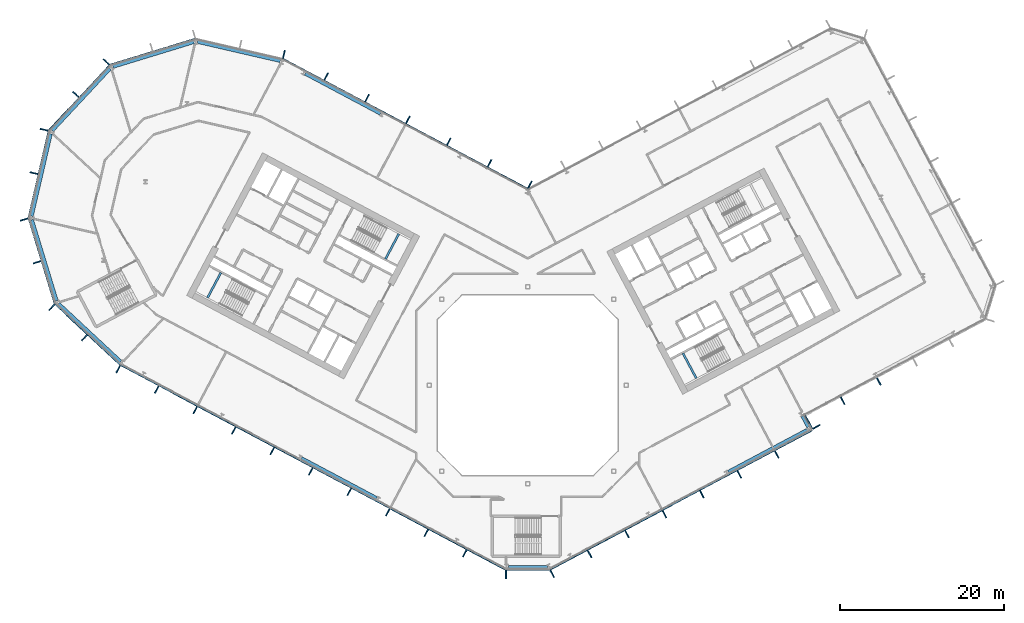
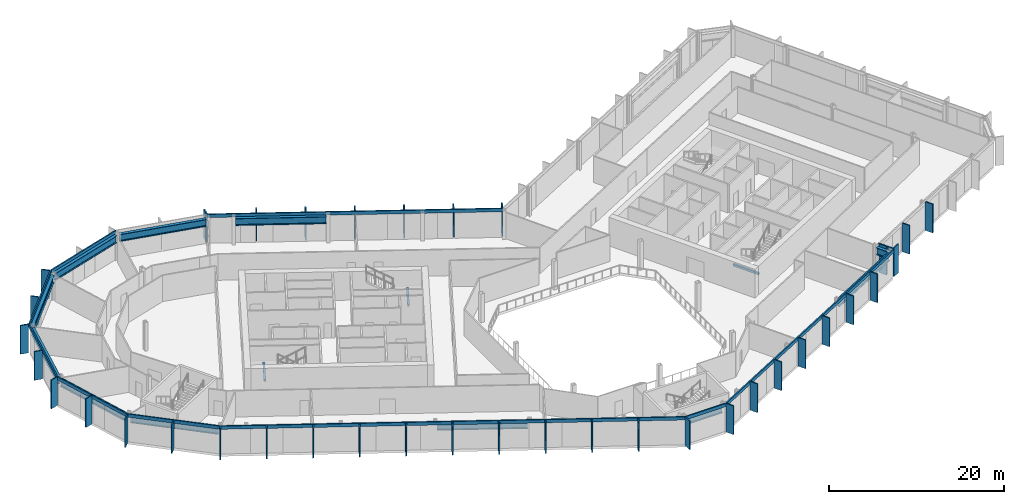
# One storey, part 9 of 28: 47 members, 14 beams, 12 elements without a shape of their own.
"""IFC4 building model written with IfcOpenShell, lengths in metres."""

from ifc_helpers import new_model, si_unit, direction, frame, origin, origin_2d, place, context, subcontext, project, spatial, rectangle, i_section, extrude, material, layer, layer_set, material_profile, profile_set, type_object, element, aggregate, save


model = new_model("IFC4")

# Units and contexts
model_context = context("Model", 3, precision=1e-05, world=origin(), true_north=direction((0.0, 1.0)))
body_context = subcontext(model_context, "Body", "Model", "MODEL_VIEW")
ifc_project = project(units=[si_unit("LENGTHUNIT", "METRE"), si_unit("AREAUNIT", "SQUARE_METRE"), si_unit("VOLUMEUNIT", "CUBIC_METRE"), si_unit("PLANEANGLEUNIT", "RADIAN"), si_unit("MASSUNIT", "GRAM", prefix="KILO")], contexts=[model_context])

# Site, building, storey
site_placement = place(None, origin())
site = spatial("IfcSite", under=ifc_project, at=site_placement, CompositionType="ELEMENT")
building_placement = place(site_placement, origin())
building = spatial("IfcBuilding", under=site, at=building_placement, Name="Cormorant Relay Tower", CompositionType="ELEMENT")
storey_placement = place(building_placement, frame((0.0, 0.0, 146.199951171875)))
storey = spatial("IfcBuildingStorey", under=building, at=storey_placement, Name="L30", CompositionType="ELEMENT", Elevation=146.199951171875)

# Curtain wall, member
ifc_material_1 = material(Name="Aluminium 6063-T6 anodised bronze", Category="aluminium")
ifc_layer = layer(ifc_material_1, 0.199951171875)
ifc_layer_set = layer_set([ifc_layer], Name="CW1 unitised bronze curtain wall with vertical fins")
curtain_wall_type = type_object("IfcCurtainWallType", Name="CW1 unitised bronze curtain wall with vertical fins", PredefinedType="NOTDEFINED", material=ifc_layer_set)
curtain_wall_1_placement = place(storey_placement, origin())
curtain_wall_1 = element("IfcCurtainWall", 1, at=curtain_wall_1_placement, inside=storey, type_object=curtain_wall_type, Name="CW1 curtain wall 1", PredefinedType="NOTDEFINED")
ifc_material_2 = material(Name="Aluminium 6063-T6 anodised bronze", Category="aluminium")
ifc_material_profile_1 = material_profile(ifc_material_2, rectangle(XDim=0.14990234375, YDim=1.0, at=origin_2d()), Name="AL 150x1000")
ifc_profile_set_1 = profile_set([ifc_material_profile_1], Name="Aluminium 6063-T6 anodised bronze")
member_type_1 = type_object("IfcMemberType", Name="CW1 bronze fin mullion 150 x 1000", PredefinedType="MULLION", material=ifc_profile_set_1)
member_1_placement = place(storey_placement, frame((-2.648681640625, -23.07568359375, 0.0), z_axis=(0.0, 0.0, 1.0), x_axis=(1.0, 0.0, 0.0)))
member_1 = element("IfcMember", 2, at=member_1_placement, type_object=member_type_1, Name="CW1 fin 1.1", PredefinedType="MULLION", context=body_context, shape_type="SweptSolid", body=[
    extrude(rectangle(XDim=0.14990234375, YDim=1.0, at=origin_2d()), origin(), (0.0, 0.0, 1.0), 4.0),
])

# Curtain wall, members
curtain_wall_2_placement = place(storey_placement, origin())
curtain_wall_2 = element("IfcCurtainWall", 3, at=curtain_wall_2_placement, inside=storey, type_object=curtain_wall_type, Name="CW1 curtain wall 2", PredefinedType="NOTDEFINED")
member_2_placement = place(storey_placement, frame((2.9775390625, -22.99365234375, 0.0), z_axis=(0.0, 0.0, 1.0), x_axis=(0.882947592859, 0.469471562786, 0.0)))
member_2 = element("IfcMember", 4, at=member_2_placement, type_object=member_type_1, Name="CW1 fin 2.1", PredefinedType="MULLION", context=body_context, shape_type="SweptSolid", body=[
    extrude(rectangle(XDim=0.14990234375, YDim=1.0, at=origin_2d()), origin(), (0.0, 0.0, 1.0), 4.0),
])
member_3_placement = place(storey_placement, frame((7.539306640625, -20.568115234375, 0.0), z_axis=(0.0, 0.0, 1.0), x_axis=(0.882947592859, 0.469471562786, 0.0)))
member_3 = element("IfcMember", 5, at=member_3_placement, type_object=member_type_1, Name="CW1 fin 2.2", PredefinedType="MULLION", context=body_context, shape_type="SweptSolid", body=[
    extrude(rectangle(XDim=0.14990234375, YDim=1.0, at=origin_2d()), origin(), (0.0, 0.0, 1.0), 4.0),
])
member_4_placement = place(storey_placement, frame((12.10107421875, -18.142578125, 0.0), z_axis=(0.0, 0.0, 1.0), x_axis=(0.882947592859, 0.469471562786, 0.0)))
member_4 = element("IfcMember", 6, at=member_4_placement, type_object=member_type_1, Name="CW1 fin 2.3", PredefinedType="MULLION", context=body_context, shape_type="SweptSolid", body=[
    extrude(rectangle(XDim=0.14990234375, YDim=1.0, at=origin_2d()), origin(), (0.0, 0.0, 1.0), 4.0),
])
member_5_placement = place(storey_placement, frame((16.662841796875, -15.717041015625, 0.0), z_axis=(0.0, 0.0, 1.0), x_axis=(0.882947592859, 0.469471562786, 0.0)))
member_5 = element("IfcMember", 7, at=member_5_placement, type_object=member_type_1, Name="CW1 fin 2.4", PredefinedType="MULLION", context=body_context, shape_type="SweptSolid", body=[
    extrude(rectangle(XDim=0.14990234375, YDim=1.0, at=origin_2d()), origin(), (0.0, 0.0, 1.0), 4.0),
])
member_6_placement = place(storey_placement, frame((21.224609375, -13.29150390625, 0.0), z_axis=(0.0, 0.0, 1.0), x_axis=(0.882947592859, 0.469471562786, 0.0)))
member_6 = element("IfcMember", 8, at=member_6_placement, type_object=member_type_1, Name="CW1 fin 2.5", PredefinedType="MULLION", context=body_context, shape_type="SweptSolid", body=[
    extrude(rectangle(XDim=0.14990234375, YDim=1.0, at=origin_2d()), origin(), (0.0, 0.0, 1.0), 4.0),
])
member_7_placement = place(storey_placement, frame((25.78662109375, -10.865966796875, 0.0), z_axis=(0.0, 0.0, 1.0), x_axis=(0.882947592859, 0.469471562786, 0.0)))
member_7 = element("IfcMember", 9, at=member_7_placement, type_object=member_type_1, Name="CW1 fin 2.6", PredefinedType="MULLION", context=body_context, shape_type="SweptSolid", body=[
    extrude(rectangle(XDim=0.14990234375, YDim=1.0, at=origin_2d()), origin(), (0.0, 0.0, 1.0), 4.0),
])
member_8_placement = place(storey_placement, frame((30.348388671875, -8.440185546875, 0.0), z_axis=(0.0, 0.0, 1.0), x_axis=(0.882947592859, 0.469471562786, 0.0)))
member_8 = element("IfcMember", 10, at=member_8_placement, type_object=member_type_1, Name="CW1 fin 2.7", PredefinedType="MULLION", context=body_context, shape_type="SweptSolid", body=[
    extrude(rectangle(XDim=0.14990234375, YDim=1.0, at=origin_2d()), origin(), (0.0, 0.0, 1.0), 4.0),
])

# Curtain wall, member
curtain_wall_3_placement = place(storey_placement, origin())
curtain_wall_3 = element("IfcCurtainWall", 11, at=curtain_wall_3_placement, inside=storey, type_object=curtain_wall_type, Name="CW1 curtain wall 3", PredefinedType="NOTDEFINED")
member_9_placement = place(storey_placement, frame((35.199462890625, -5.068115234375, 0.0), z_axis=(0.0, 0.0, 1.0), x_axis=(-0.469471562786, 0.882947592859, 0.0)))
member_9 = element("IfcMember", 12, at=member_9_placement, type_object=member_type_1, Name="CW1 fin 3.1", PredefinedType="MULLION", context=body_context, shape_type="SweptSolid", body=[
    extrude(rectangle(XDim=0.14990234375, YDim=1.0, at=origin_2d()), origin(), (0.0, 0.0, 1.0), 4.0),
])

# Curtain wall, members
curtain_wall_4_placement = place(storey_placement, origin())
curtain_wall_4 = element("IfcCurtainWall", 13, at=curtain_wall_4_placement, inside=storey, type_object=curtain_wall_type, Name="CW1 curtain wall 4", PredefinedType="NOTDEFINED")
member_10_placement = place(storey_placement, frame((34.037353515625, -4.213623046875, 0.0), z_axis=(0.0, 0.0, 1.0), x_axis=(0.882947592859, 0.469471562786, 0.0)))
member_10 = element("IfcMember", 14, at=member_10_placement, type_object=member_type_1, Name="CW1 fin 4.1", PredefinedType="MULLION", context=body_context, shape_type="SweptSolid", body=[
    extrude(rectangle(XDim=0.14990234375, YDim=1.0, at=origin_2d()), origin(), (0.0, 0.0, 1.0), 4.0),
])
member_11_placement = place(storey_placement, frame((38.385986328125, -1.901611328125, 0.0), z_axis=(0.0, 0.0, 1.0), x_axis=(0.882947592859, 0.469471562786, 0.0)))
member_11 = element("IfcMember", 15, at=member_11_placement, type_object=member_type_1, Name="CW1 fin 4.2", PredefinedType="MULLION", context=body_context, shape_type="SweptSolid", body=[
    extrude(rectangle(XDim=0.14990234375, YDim=1.0, at=origin_2d()), origin(), (0.0, 0.0, 1.0), 4.0),
])
member_12_placement = place(storey_placement, frame((42.800537109375, 0.44580078125, 0.0), z_axis=(0.0, 0.0, 1.0), x_axis=(0.882947592859, 0.469471562786, 0.0)))
member_12 = element("IfcMember", 16, at=member_12_placement, type_object=member_type_1, Name="CW1 fin 4.3", PredefinedType="MULLION", context=body_context, shape_type="SweptSolid", body=[
    extrude(rectangle(XDim=0.14990234375, YDim=1.0, at=origin_2d()), origin(), (0.0, 0.0, 1.0), 4.0),
])
aggregate(curtain_wall_4, [member_10, member_11, member_12])

curtain_wall_5_placement = place(storey_placement, origin())
curtain_wall_5 = element("IfcCurtainWall", 17, at=curtain_wall_5_placement, inside=storey, type_object=curtain_wall_type, Name="CW1 curtain wall 9", PredefinedType="NOTDEFINED")
member_13_placement = place(storey_placement, frame((0.262451171875, 24.437255859375, 0.0), z_axis=(0.0, 0.0, 1.0), x_axis=(-0.882947592859, 0.469471562786, 0.0)))
member_13 = element("IfcMember", 18, at=member_13_placement, type_object=member_type_1, Name="CW1 fin 9.1", PredefinedType="MULLION", context=body_context, shape_type="SweptSolid", body=[
    extrude(rectangle(XDim=0.14990234375, YDim=1.0, at=origin_2d()), origin(), (0.0, 0.0, 1.0), 4.0),
])
member_14_placement = place(storey_placement, frame((-4.650390625, 27.04931640625, 0.0), z_axis=(0.0, 0.0, 1.0), x_axis=(-0.882947592859, 0.469471562786, 0.0)))
member_14 = element("IfcMember", 19, at=member_14_placement, type_object=member_type_1, Name="CW1 fin 9.2", PredefinedType="MULLION", context=body_context, shape_type="SweptSolid", body=[
    extrude(rectangle(XDim=0.14990234375, YDim=1.0, at=origin_2d()), origin(), (0.0, 0.0, 1.0), 4.0),
])
member_15_placement = place(storey_placement, frame((-9.62939453125, 29.69677734375, 0.0), z_axis=(0.0, 0.0, 1.0), x_axis=(-0.882947592859, 0.469471562786, 0.0)))
member_15 = element("IfcMember", 20, at=member_15_placement, type_object=member_type_1, Name="CW1 fin 9.3", PredefinedType="MULLION", context=body_context, shape_type="SweptSolid", body=[
    extrude(rectangle(XDim=0.14990234375, YDim=1.0, at=origin_2d()), origin(), (0.0, 0.0, 1.0), 4.0),
])
member_16_placement = place(storey_placement, frame((-14.608154296875, 32.343994140625, 0.0), z_axis=(0.0, 0.0, 1.0), x_axis=(-0.882947592859, 0.469471562786, 0.0)))
member_16 = element("IfcMember", 21, at=member_16_placement, type_object=member_type_1, Name="CW1 fin 9.4", PredefinedType="MULLION", context=body_context, shape_type="SweptSolid", body=[
    extrude(rectangle(XDim=0.14990234375, YDim=1.0, at=origin_2d()), origin(), (0.0, 0.0, 1.0), 4.0),
])
member_17_placement = place(storey_placement, frame((-19.587158203125, 34.991455078125, 0.0), z_axis=(0.0, 0.0, 1.0), x_axis=(-0.882947592859, 0.469471562786, 0.0)))
member_17 = element("IfcMember", 22, at=member_17_placement, type_object=member_type_1, Name="CW1 fin 9.5", PredefinedType="MULLION", context=body_context, shape_type="SweptSolid", body=[
    extrude(rectangle(XDim=0.14990234375, YDim=1.0, at=origin_2d()), origin(), (0.0, 0.0, 1.0), 4.0),
])
member_18_placement = place(storey_placement, frame((-24.566162109375, 37.638916015625, 0.0), z_axis=(0.0, 0.0, 1.0), x_axis=(-0.882947592859, 0.469471562786, 0.0)))
member_18 = element("IfcMember", 23, at=member_18_placement, type_object=member_type_1, Name="CW1 fin 9.6", PredefinedType="MULLION", context=body_context, shape_type="SweptSolid", body=[
    extrude(rectangle(XDim=0.14990234375, YDim=1.0, at=origin_2d()), origin(), (0.0, 0.0, 1.0), 4.0),
])

# Curtain wall, member
curtain_wall_6_placement = place(storey_placement, origin())
curtain_wall_6 = element("IfcCurtainWall", 24, at=curtain_wall_6_placement, inside=storey, type_object=curtain_wall_type, Name="CW1 curtain wall 10", PredefinedType="NOTDEFINED")
member_19_placement = place(storey_placement, frame((-29.71630859375, 40.35009765625, 0.0), z_axis=(0.0, 0.0, 1.0), x_axis=(-0.974370064785, 0.224951054344, 0.0)))
member_19 = element("IfcMember", 25, at=member_19_placement, type_object=member_type_1, Name="CW1 fin 10.1", PredefinedType="MULLION", context=body_context, shape_type="SweptSolid", body=[
    extrude(rectangle(XDim=0.14990234375, YDim=1.0, at=origin_2d()), origin(), (0.0, 0.0, 1.0), 4.0),
])
aggregate(curtain_wall_6, [member_19])

# Curtain wall, members
curtain_wall_7_placement = place(storey_placement, origin())
curtain_wall_7 = element("IfcCurtainWall", 26, at=curtain_wall_7_placement, inside=storey, type_object=curtain_wall_type, Name="CW1 curtain wall 12", PredefinedType="NOTDEFINED")
member_20_placement = place(storey_placement, frame((-51.372802734375, 39.41259765625, 0.0), z_axis=(0.0, 0.0, 1.0), x_axis=(-0.681998360062, -0.731353701619, 0.0)))
member_20 = element("IfcMember", 27, at=member_20_placement, type_object=member_type_1, Name="CW1 fin 12.1", PredefinedType="MULLION", context=body_context, shape_type="SweptSolid", body=[
    extrude(rectangle(XDim=0.14990234375, YDim=1.0, at=origin_2d()), origin(), (0.0, 0.0, 1.0), 4.0),
])
member_21_placement = place(storey_placement, frame((-55.07958984375, 35.4375, 0.0), z_axis=(0.0, 0.0, 1.0), x_axis=(-0.681998360062, -0.731353701619, 0.0)))
member_21 = element("IfcMember", 28, at=member_21_placement, type_object=member_type_1, Name="CW1 fin 12.2", PredefinedType="MULLION", context=body_context, shape_type="SweptSolid", body=[
    extrude(rectangle(XDim=0.14990234375, YDim=1.0, at=origin_2d()), origin(), (0.0, 0.0, 1.0), 4.0),
])

curtain_wall_8_placement = place(storey_placement, origin())
curtain_wall_8 = element("IfcCurtainWall", 29, at=curtain_wall_8_placement, inside=storey, type_object=curtain_wall_type, Name="CW1 curtain wall 13", PredefinedType="NOTDEFINED")
member_22_placement = place(storey_placement, frame((-58.95654296875, 31.142578125, 0.0), z_axis=(0.0, 0.0, 1.0), x_axis=(-0.224951054344, -0.974370064785, 0.0)))
member_22 = element("IfcMember", 30, at=member_22_placement, type_object=member_type_1, Name="CW1 fin 13.1", PredefinedType="MULLION", context=body_context, shape_type="SweptSolid", body=[
    extrude(rectangle(XDim=0.14990234375, YDim=1.0, at=origin_2d()), origin(), (0.0, 0.0, 1.0), 4.0),
])
member_23_placement = place(storey_placement, frame((-60.17919921875, 25.8466796875, 0.0), z_axis=(0.0, 0.0, 1.0), x_axis=(-0.224951054344, -0.974370064785, 0.0)))
member_23 = element("IfcMember", 31, at=member_23_placement, type_object=member_type_1, Name="CW1 fin 13.2", PredefinedType="MULLION", context=body_context, shape_type="SweptSolid", body=[
    extrude(rectangle(XDim=0.14990234375, YDim=1.0, at=origin_2d()), origin(), (0.0, 0.0, 1.0), 4.0),
])

curtain_wall_9_placement = place(storey_placement, origin())
curtain_wall_9 = element("IfcCurtainWall", 32, at=curtain_wall_9_placement, inside=storey, type_object=curtain_wall_type, Name="CW1 curtain wall 14", PredefinedType="NOTDEFINED")
member_24_placement = place(storey_placement, frame((-61.389404296875, 20.188720703125, 0.0), z_axis=(0.0, 0.0, 1.0), x_axis=(0.292371704723, -0.956304755963, 0.0)))
member_24 = element("IfcMember", 33, at=member_24_placement, type_object=member_type_1, Name="CW1 fin 14.1", PredefinedType="MULLION", context=body_context, shape_type="SweptSolid", body=[
    extrude(rectangle(XDim=0.14990234375, YDim=1.0, at=origin_2d()), origin(), (0.0, 0.0, 1.0), 4.0),
])
member_25_placement = place(storey_placement, frame((-59.80029296875, 14.990966796875, 0.0), z_axis=(0.0, 0.0, 1.0), x_axis=(0.292371704723, -0.956304755963, 0.0)))
member_25 = element("IfcMember", 34, at=member_25_placement, type_object=member_type_1, Name="CW1 fin 14.2", PredefinedType="MULLION", context=body_context, shape_type="SweptSolid", body=[
    extrude(rectangle(XDim=0.14990234375, YDim=1.0, at=origin_2d()), origin(), (0.0, 0.0, 1.0), 4.0),
])

curtain_wall_10_placement = place(storey_placement, origin())
curtain_wall_10 = element("IfcCurtainWall", 35, at=curtain_wall_10_placement, inside=storey, type_object=curtain_wall_type, Name="CW1 curtain wall 15", PredefinedType="NOTDEFINED")
member_26_placement = place(storey_placement, frame((-58.01904296875, 9.486083984375, 0.0), z_axis=(0.0, 0.0, 1.0), x_axis=(0.731353701619, -0.681998360062, 0.0)))
member_26 = element("IfcMember", 36, at=member_26_placement, type_object=member_type_1, Name="CW1 fin 15.1", PredefinedType="MULLION", context=body_context, shape_type="SweptSolid", body=[
    extrude(rectangle(XDim=0.14990234375, YDim=1.0, at=origin_2d()), origin(), (0.0, 0.0, 1.0), 4.0),
])
member_27_placement = place(storey_placement, frame((-54.0439453125, 5.779296875, 0.0), z_axis=(0.0, 0.0, 1.0), x_axis=(0.731353701619, -0.681998360062, 0.0)))
member_27 = element("IfcMember", 37, at=member_27_placement, type_object=member_type_1, Name="CW1 fin 15.2", PredefinedType="MULLION", context=body_context, shape_type="SweptSolid", body=[
    extrude(rectangle(XDim=0.14990234375, YDim=1.0, at=origin_2d()), origin(), (0.0, 0.0, 1.0), 4.0),
])

curtain_wall_11_placement = place(storey_placement, origin())
curtain_wall_11 = element("IfcCurtainWall", 38, at=curtain_wall_11_placement, inside=storey, type_object=curtain_wall_type, Name="CW1 curtain wall 16", PredefinedType="NOTDEFINED")
member_28_placement = place(storey_placement, frame((-49.920166015625, 1.96630859375, 0.0), z_axis=(0.0, 0.0, 1.0), x_axis=(0.882947592859, -0.469471562786, 0.0)))
member_28 = element("IfcMember", 39, at=member_28_placement, type_object=member_type_1, Name="CW1 fin 16.1", PredefinedType="MULLION", context=body_context, shape_type="SweptSolid", body=[
    extrude(rectangle(XDim=0.14990234375, YDim=1.0, at=origin_2d()), origin(), (0.0, 0.0, 1.0), 4.0),
])
member_29_placement = place(storey_placement, frame((-45.225830078125, -0.52978515625, 0.0), z_axis=(0.0, 0.0, 1.0), x_axis=(0.882947592859, -0.469471562786, 0.0)))
member_29 = element("IfcMember", 40, at=member_29_placement, type_object=member_type_1, Name="CW1 fin 16.2", PredefinedType="MULLION", context=body_context, shape_type="SweptSolid", body=[
    extrude(rectangle(XDim=0.14990234375, YDim=1.0, at=origin_2d()), origin(), (0.0, 0.0, 1.0), 4.0),
])
member_30_placement = place(storey_placement, frame((-40.531494140625, -3.025634765625, 0.0), z_axis=(0.0, 0.0, 1.0), x_axis=(0.882947592859, -0.469471562786, 0.0)))
member_30 = element("IfcMember", 41, at=member_30_placement, type_object=member_type_1, Name="CW1 fin 16.3", PredefinedType="MULLION", context=body_context, shape_type="SweptSolid", body=[
    extrude(rectangle(XDim=0.14990234375, YDim=1.0, at=origin_2d()), origin(), (0.0, 0.0, 1.0), 4.0),
])
member_31_placement = place(storey_placement, frame((-35.83740234375, -5.521728515625, 0.0), z_axis=(0.0, 0.0, 1.0), x_axis=(0.882947592859, -0.469471562786, 0.0)))
member_31 = element("IfcMember", 42, at=member_31_placement, type_object=member_type_1, Name="CW1 fin 16.4", PredefinedType="MULLION", context=body_context, shape_type="SweptSolid", body=[
    extrude(rectangle(XDim=0.14990234375, YDim=1.0, at=origin_2d()), origin(), (0.0, 0.0, 1.0), 4.0),
])
member_32_placement = place(storey_placement, frame((-31.14306640625, -8.017578125, 0.0), z_axis=(0.0, 0.0, 1.0), x_axis=(0.882947592859, -0.469471562786, 0.0)))
member_32 = element("IfcMember", 43, at=member_32_placement, type_object=member_type_1, Name="CW1 fin 16.5", PredefinedType="MULLION", context=body_context, shape_type="SweptSolid", body=[
    extrude(rectangle(XDim=0.14990234375, YDim=1.0, at=origin_2d()), origin(), (0.0, 0.0, 1.0), 4.0),
])
member_33_placement = place(storey_placement, frame((-26.44873046875, -10.513671875, 0.0), z_axis=(0.0, 0.0, 1.0), x_axis=(0.882947592859, -0.469471562786, 0.0)))
member_33 = element("IfcMember", 44, at=member_33_placement, type_object=member_type_1, Name="CW1 fin 16.6", PredefinedType="MULLION", context=body_context, shape_type="SweptSolid", body=[
    extrude(rectangle(XDim=0.14990234375, YDim=1.0, at=origin_2d()), origin(), (0.0, 0.0, 1.0), 4.0),
])
member_34_placement = place(storey_placement, frame((-21.754638671875, -13.009765625, 0.0), z_axis=(0.0, 0.0, 1.0), x_axis=(0.882947592859, -0.469471562786, 0.0)))
member_34 = element("IfcMember", 45, at=member_34_placement, type_object=member_type_1, Name="CW1 fin 16.7", PredefinedType="MULLION", context=body_context, shape_type="SweptSolid", body=[
    extrude(rectangle(XDim=0.14990234375, YDim=1.0, at=origin_2d()), origin(), (0.0, 0.0, 1.0), 4.0),
])
member_35_placement = place(storey_placement, frame((-17.060302734375, -15.505615234375, 0.0), z_axis=(0.0, 0.0, 1.0), x_axis=(0.882947592859, -0.469471562786, 0.0)))
member_35 = element("IfcMember", 46, at=member_35_placement, type_object=member_type_1, Name="CW1 fin 16.8", PredefinedType="MULLION", context=body_context, shape_type="SweptSolid", body=[
    extrude(rectangle(XDim=0.14990234375, YDim=1.0, at=origin_2d()), origin(), (0.0, 0.0, 1.0), 4.0),
])
member_36_placement = place(storey_placement, frame((-12.365966796875, -18.001708984375, 0.0), z_axis=(0.0, 0.0, 1.0), x_axis=(0.882947592859, -0.469471562786, 0.0)))
member_36 = element("IfcMember", 47, at=member_36_placement, type_object=member_type_1, Name="CW1 fin 16.9", PredefinedType="MULLION", context=body_context, shape_type="SweptSolid", body=[
    extrude(rectangle(XDim=0.14990234375, YDim=1.0, at=origin_2d()), origin(), (0.0, 0.0, 1.0), 4.0),
])
member_37_placement = place(storey_placement, frame((-7.671630859375, -20.49755859375, 0.0), z_axis=(0.0, 0.0, 1.0), x_axis=(0.882947592859, -0.469471562786, 0.0)))
member_37 = element("IfcMember", 48, at=member_37_placement, type_object=member_type_1, Name="CW1 fin 16.10", PredefinedType="MULLION", context=body_context, shape_type="SweptSolid", body=[
    extrude(rectangle(XDim=0.14990234375, YDim=1.0, at=origin_2d()), origin(), (0.0, 0.0, 1.0), 4.0),
])

# Member
ifc_material_3 = material(Name="Aluminium 6063-T6 anodised bronze", Category="aluminium")
ifc_material_profile_2 = material_profile(ifc_material_3, rectangle(XDim=0.159912109375, YDim=0.449951171875, at=origin_2d()), Name="AL 160x450")
ifc_profile_set_2 = profile_set([ifc_material_profile_2], Name="Aluminium 6063-T6 anodised bronze")
member_type_2 = type_object("IfcMemberType", Name="CW1 bronze transom 160 x 450", PredefinedType="USERDEFINED", material=ifc_profile_set_2)
member_38_placement = place(storey_placement, frame((-2.648681640625, -22.49560546875, 3.775146484375), z_axis=(1.0, 0.0, 0.0), x_axis=(0.0, 1.0, 0.0)))
member_38 = element("IfcMember", 49, at=member_38_placement, type_object=member_type_2, Name="CW1 transom 1", ObjectType="TRANSOM", PredefinedType="USERDEFINED", context=body_context, shape_type="SweptSolid", body=[
    extrude(rectangle(XDim=0.159912109375, YDim=0.449951171875, at=origin_2d()), origin(), (0.0, 0.0, 1.0), 5.29736328125),
])

aggregate(curtain_wall_1, [member_1, member_38])

member_39_placement = place(storey_placement, frame((2.705078125, -22.4814453125, 3.775146484375), z_axis=(0.882948899141, 0.469469106018, 0.0), x_axis=(-0.469469106018, 0.882948899141, 0.0)))
member_39 = element("IfcMember", 50, at=member_39_placement, type_object=member_type_2, Name="CW1 transom 2", ObjectType="TRANSOM", PredefinedType="USERDEFINED", context=body_context, shape_type="SweptSolid", body=[
    extrude(rectangle(XDim=0.159912109375, YDim=0.449951171875, at=origin_2d()), origin(), (0.0, 0.0, 1.0), 36.165771484375),
])

aggregate(curtain_wall_2, [member_2, member_3, member_4, member_5, member_6, member_7, member_8, member_39])

member_40_placement = place(storey_placement, frame((34.6875, -5.34033203125, 3.775146484375), z_axis=(-0.469580583036, 0.88288961713, 0.0), x_axis=(-0.88288961713, -0.469580583036, 0.0)))
member_40 = element("IfcMember", 51, at=member_40_placement, type_object=member_type_2, Name="CW1 transom 3", ObjectType="TRANSOM", PredefinedType="USERDEFINED", context=body_context, shape_type="SweptSolid", body=[
    extrude(rectangle(XDim=0.159912109375, YDim=0.449951171875, at=origin_2d()), origin(), (0.0, 0.0, 1.0), 2.0),
])

aggregate(curtain_wall_3, [member_9, member_40])

member_41_placement = place(storey_placement, frame((0.056396484375, 23.889892578125, 3.775146484375), z_axis=(-0.882946280328, 0.46947403129, 0.0), x_axis=(-0.46947403129, -0.882946280328, 0.0)))
member_41 = element("IfcMember", 52, at=member_41_placement, type_object=member_type_2, Name="CW1 transom 9", ObjectType="TRANSOM", PredefinedType="USERDEFINED", context=body_context, shape_type="SweptSolid", body=[
    extrude(rectangle(XDim=0.159912109375, YDim=0.449951171875, at=origin_2d()), origin(), (0.0, 0.0, 1.0), 33.834228515625),
])

aggregate(curtain_wall_5, [member_13, member_14, member_15, member_16, member_17, member_18, member_41])

# Curtain wall, member
curtain_wall_12_placement = place(storey_placement, origin())
curtain_wall_12 = element("IfcCurtainWall", 53, at=curtain_wall_12_placement, inside=storey, type_object=curtain_wall_type, Name="CW1 curtain wall 11", PredefinedType="NOTDEFINED")
member_42_placement = place(storey_placement, frame((-40.50048828125, 42.228271484375, 3.775146484375), z_axis=(-0.956304833932, -0.292371449698, 0.0), x_axis=(0.292371449698, -0.956304833932, 0.0)))
member_42 = element("IfcMember", 54, at=member_42_placement, type_object=member_type_2, Name="CW1 transom 11", ObjectType="TRANSOM", PredefinedType="USERDEFINED", context=body_context, shape_type="SweptSolid", body=[
    extrude(rectangle(XDim=0.159912109375, YDim=0.449951171875, at=origin_2d()), origin(), (0.0, 0.0, 1.0), 10.87060546875),
])
aggregate(curtain_wall_12, [member_42])

# Member
member_43_placement = place(storey_placement, frame((-50.94873046875, 39.01708984375, 3.775146484375), z_axis=(-0.681993299437, -0.731358420696, 0.0), x_axis=(0.731358420696, -0.681993299437, 0.0)))
member_43 = element("IfcMember", 55, at=member_43_placement, type_object=member_type_2, Name="CW1 transom 12", ObjectType="TRANSOM", PredefinedType="USERDEFINED", context=body_context, shape_type="SweptSolid", body=[
    extrude(rectangle(XDim=0.159912109375, YDim=0.449951171875, at=origin_2d()), origin(), (0.0, 0.0, 1.0), 10.870361328125),
])

aggregate(curtain_wall_7, [member_20, member_21, member_43])

member_44_placement = place(storey_placement, frame((-58.3916015625, 31.01220703125, 3.775146484375), z_axis=(-0.22495136131, -0.974369993916, 0.0), x_axis=(0.974369993916, -0.22495136131, 0.0)))
member_44 = element("IfcMember", 56, at=member_44_placement, type_object=member_type_2, Name="CW1 transom 13", ObjectType="TRANSOM", PredefinedType="USERDEFINED", context=body_context, shape_type="SweptSolid", body=[
    extrude(rectangle(XDim=0.159912109375, YDim=0.449951171875, at=origin_2d()), origin(), (0.0, 0.0, 1.0), 10.870361328125),
])

aggregate(curtain_wall_8, [member_22, member_23, member_44])

member_45_placement = place(storey_placement, frame((-60.834716796875, 20.358154296875, 3.775146484375), z_axis=(0.292377729282, -0.95630291405, 0.0), x_axis=(0.95630291405, 0.292377729282, 0.0)))
member_45 = element("IfcMember", 57, at=member_45_placement, type_object=member_type_2, Name="CW1 transom 14", ObjectType="TRANSOM", PredefinedType="USERDEFINED", context=body_context, shape_type="SweptSolid", body=[
    extrude(rectangle(XDim=0.159912109375, YDim=0.449951171875, at=origin_2d()), origin(), (0.0, 0.0, 1.0), 10.870361328125),
])

aggregate(curtain_wall_9, [member_24, member_25, member_45])

member_46_placement = place(storey_placement, frame((-57.62353515625, 9.91015625, 3.775146484375), z_axis=(0.731358420696, -0.681993299437, 0.0), x_axis=(0.681993299437, 0.731358420696, 0.0)))
member_46 = element("IfcMember", 58, at=member_46_placement, type_object=member_type_2, Name="CW1 transom 15", ObjectType="TRANSOM", PredefinedType="USERDEFINED", context=body_context, shape_type="SweptSolid", body=[
    extrude(rectangle(XDim=0.159912109375, YDim=0.449951171875, at=origin_2d()), origin(), (0.0, 0.0, 1.0), 10.870361328125),
])

aggregate(curtain_wall_10, [member_26, member_27, member_46])

member_47_placement = place(storey_placement, frame((-49.64794921875, 2.478515625, 3.775146484375), z_axis=(0.882947642542, -0.469471469346, 0.0), x_axis=(0.469471469346, 0.882947642542, 0.0)))
member_47 = element("IfcMember", 59, at=member_47_placement, type_object=member_type_2, Name="CW1 transom 16", ObjectType="TRANSOM", PredefinedType="USERDEFINED", context=body_context, shape_type="SweptSolid", body=[
    extrude(rectangle(XDim=0.159912109375, YDim=0.449951171875, at=origin_2d()), origin(), (0.0, 0.0, 1.0), 53.166015625),
])

aggregate(curtain_wall_11, [member_28, member_29, member_30, member_31, member_32, member_33, member_34, member_35, member_36, member_37, member_47])

# Beams
ifc_material_4 = material(Name="Steel ASTM A992 (Fy 345 MPa)", Category="steel")
ifc_material_profile_3 = material_profile(ifc_material_4, i_section(OverallWidth=0.4013671875, OverallDepth=1.000732421875, WebThickness=0.01904296875, FlangeThickness=0.0361328125, FilletRadius=0.02978515625, at=origin_2d()), Name="W1000x371")
ifc_profile_set_3 = profile_set([ifc_material_profile_3], Name="Steel ASTM A992 (Fy 345 MPa)")
beam_type_1 = type_object("IfcBeamType", Name="Spandrel W1000x371", PredefinedType="SPANDREL", material=ifc_profile_set_3)
beam_1_placement = place(storey_placement, frame((-2.35888671875, -22.1748046875, 3.1396484375), z_axis=(1.0, 0.0, 0.0), x_axis=(0.0, 1.0, 0.0)))
element("IfcBeam", 60, at=beam_1_placement, inside=storey, type_object=beam_type_1, Name="Spandrel beam L30-001", PredefinedType="SPANDREL", context=body_context, shape_type="SweptSolid", body=[
    extrude(i_section(OverallWidth=0.4013671875, OverallDepth=1.000732421875, WebThickness=0.01904296875, FlangeThickness=0.0361328125, FilletRadius=0.02978515625, at=origin_2d()), origin(), (0.0, 0.0, 1.0), 4.748046875),
])
beam_2_placement = place(storey_placement, frame((24.427001953125, -10.568603515625, 3.1396484375), z_axis=(0.88295524081, 0.469457178799, 0.0), x_axis=(-0.469457178799, 0.88295524081, 0.0)))
element("IfcBeam", 61, at=beam_2_placement, inside=storey, type_object=beam_type_1, Name="Spandrel beam L30-002", PredefinedType="SPANDREL", context=body_context, shape_type="SweptSolid", body=[
    extrude(i_section(OverallWidth=0.4013671875, OverallDepth=1.000732421875, WebThickness=0.01904296875, FlangeThickness=0.0361328125, FilletRadius=0.02978515625, at=origin_2d()), origin(), (0.0, 0.0, 1.0), 10.915771484375),
])
beam_3_placement = place(storey_placement, frame((34.191650390625, -5.091064453125, 3.1396484375), z_axis=(-0.469471937736, 0.882947393494, 0.0), x_axis=(-0.882947393494, -0.469471937736, 0.0)))
element("IfcBeam", 62, at=beam_3_placement, inside=storey, type_object=beam_type_1, Name="Spandrel beam L30-003", PredefinedType="SPANDREL", context=body_context, shape_type="SweptSolid", body=[
    extrude(i_section(OverallWidth=0.4013671875, OverallDepth=1.000732421875, WebThickness=0.01904296875, FlangeThickness=0.0361328125, FilletRadius=0.02978515625, at=origin_2d()), origin(), (0.0, 0.0, 1.0), 1.521728515625),
])
beam_4_placement = place(storey_placement, frame((-17.964599609375, 33.108642578125, 3.1396484375), z_axis=(-0.882946180893, 0.469474218299, 0.0), x_axis=(-0.469474218299, -0.882946180893, 0.0)))
element("IfcBeam", 63, at=beam_4_placement, inside=storey, type_object=beam_type_1, Name="Spandrel beam L30-009", PredefinedType="SPANDREL", context=body_context, shape_type="SweptSolid", body=[
    extrude(i_section(OverallWidth=0.4013671875, OverallDepth=1.000732421875, WebThickness=0.01904296875, FlangeThickness=0.0361328125, FilletRadius=0.02978515625, at=origin_2d()), origin(), (0.0, 0.0, 1.0), 10.388671875),
])
beam_5_placement = place(storey_placement, frame((-30.162109375, 39.52880859375, 3.1396484375), z_axis=(-0.974371727644, 0.224943851591, 0.0), x_axis=(-0.224943851591, -0.974371727644, 0.0)))
element("IfcBeam", 64, at=beam_5_placement, inside=storey, type_object=beam_type_1, Name="Spandrel beam L30-010", PredefinedType="SPANDREL", context=body_context, shape_type="SweptSolid", body=[
    extrude(i_section(OverallWidth=0.4013671875, OverallDepth=1.000732421875, WebThickness=0.01904296875, FlangeThickness=0.0361328125, FilletRadius=0.02978515625, at=origin_2d()), origin(), (0.0, 0.0, 1.0), 10.3583984375),
])
beam_6_placement = place(storey_placement, frame((-40.69140625, 41.834716796875, 3.1396484375), z_axis=(-0.95629714744, -0.292396589921, 0.0), x_axis=(0.292396589921, -0.95629714744, 0.0)))
element("IfcBeam", 65, at=beam_6_placement, inside=storey, type_object=beam_type_1, Name="Spandrel beam L30-011", PredefinedType="SPANDREL", context=body_context, shape_type="SweptSolid", body=[
    extrude(i_section(OverallWidth=0.4013671875, OverallDepth=1.000732421875, WebThickness=0.01904296875, FlangeThickness=0.0361328125, FilletRadius=0.02978515625, at=origin_2d()), origin(), (0.0, 0.0, 1.0), 10.31103515625),
])
beam_7_placement = place(storey_placement, frame((-50.917236328125, 38.58056640625, 3.1396484375), z_axis=(-0.682003508788, -0.731348900321, 0.0), x_axis=(0.731348900321, -0.682003508788, 0.0)))
element("IfcBeam", 66, at=beam_7_placement, inside=storey, type_object=beam_type_1, Name="Spandrel beam L30-012", PredefinedType="SPANDREL", context=body_context, shape_type="SweptSolid", body=[
    extrude(i_section(OverallWidth=0.4013671875, OverallDepth=1.000732421875, WebThickness=0.01904296875, FlangeThickness=0.0361328125, FilletRadius=0.02978515625, at=origin_2d()), origin(), (0.0, 0.0, 1.0), 10.310791015625),
])
for number, where, z_axis, x_axis, name in (
    (67, (-58.14599609375, 30.64990234375, 3.1396484375), (-0.224951162328, -0.974370039855, 0.0), (0.974370039855, -0.224951162328, 0.0), "Spandrel beam L30-013"),
    (68, (-60.44091796875, 20.16748046875, 3.1396484375), (0.292366522639, -0.95630634027, 0.0), (0.95630634027, 0.292366522639, 0.0), "Spandrel beam L30-014"),
):
    element("IfcBeam", number, at=place(storey_placement, frame(where, z_axis=z_axis, x_axis=x_axis)), inside=storey, type_object=beam_type_1, Name=name, PredefinedType="SPANDREL", context=body_context, shape_type="SweptSolid", body=[
        extrude(i_section(OverallWidth=0.4013671875, OverallDepth=1.000732421875, WebThickness=0.01904296875, FlangeThickness=0.0361328125, FilletRadius=0.02978515625, at=origin_2d()), origin(), (0.0, 0.0, 1.0), 10.310302734375),
    ])
beam_8_placement = place(storey_placement, frame((-57.1875, 9.94189453125, 3.1396484375), z_axis=(0.731351225545, -0.682001015317, 0.0), x_axis=(0.682001015317, 0.731351225545, 0.0)))
element("IfcBeam", 69, at=beam_8_placement, inside=storey, type_object=beam_type_1, Name="Spandrel beam L30-015", PredefinedType="SPANDREL", context=body_context, shape_type="SweptSolid", body=[
    extrude(i_section(OverallWidth=0.4013671875, OverallDepth=1.000732421875, WebThickness=0.01904296875, FlangeThickness=0.0361328125, FilletRadius=0.02978515625, at=origin_2d()), origin(), (0.0, 0.0, 1.0), 10.33935546875),
])
beam_9_placement = place(storey_placement, frame((-27.595458984375, -8.8837890625, 3.1396484375), z_axis=(0.882941619164, -0.4694827975, 0.0), x_axis=(0.4694827975, 0.882941619164, 0.0)))
element("IfcBeam", 70, at=beam_9_placement, inside=storey, type_object=beam_type_1, Name="Spandrel beam L30-016", PredefinedType="SPANDREL", context=body_context, shape_type="SweptSolid", body=[
    extrude(i_section(OverallWidth=0.4013671875, OverallDepth=1.000732421875, WebThickness=0.01904296875, FlangeThickness=0.0361328125, FilletRadius=0.02978515625, at=origin_2d()), origin(), (0.0, 0.0, 1.0), 10.388916015625),
])
ifc_material_5 = material(Name="Concrete 50 MPa", Category="concrete")
ifc_material_profile_4 = material_profile(ifc_material_5, rectangle(XDim=0.25, YDim=0.300048828125, at=origin_2d()), Name="RC 250x300")
ifc_profile_set_4 = profile_set([ifc_material_profile_4], Name="Concrete 50 MPa")
beam_type_2 = type_object("IfcBeamType", Name="Stair landing ledge beam 250x300", PredefinedType="BEAM", material=ifc_profile_set_4)
for number, where, z_axis, x_axis, name in (
    (71, (-17.338623046875, 15.3916015625, 1.650146484375), (0.469463917486, 0.882951657895, 0.0), (-0.882951657895, 0.469463917486, 0.0), "A1 landing ledge beam"),
    (72, (-37.404052734375, 13.715576171875, 1.650146484375), (-0.469463917486, -0.882951657895, 0.0), (0.882951657895, -0.469463917486, 0.0), "A2 landing ledge beam"),
    (73, (18.924072265625, 3.8896484375, 1.650146484375), (0.469463917486, -0.882951657895, 0.0), (0.882951657895, 0.469463917486, 0.0), "B1 landing ledge beam"),
):
    element("IfcBeam", number, at=place(storey_placement, frame(where, z_axis=z_axis, x_axis=x_axis)), inside=storey, type_object=beam_type_2, Name=name, PredefinedType="BEAM", context=body_context, shape_type="SweptSolid", body=[
        extrude(rectangle(XDim=0.25, YDim=0.300048828125, at=origin_2d()), origin(), (0.0, 0.0, 1.0), 3.449951171875),
    ])

save(model, "model.ifc")
